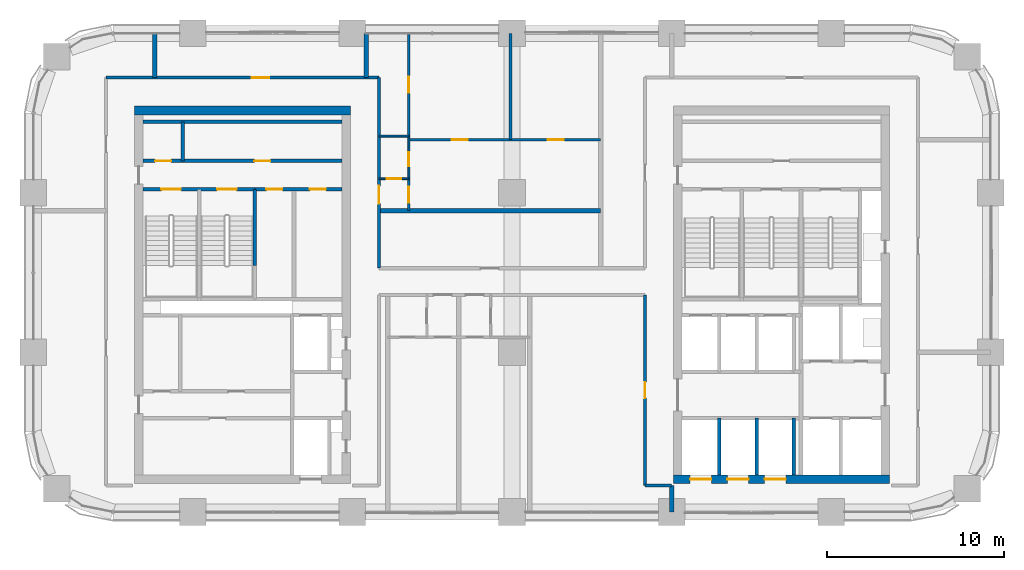
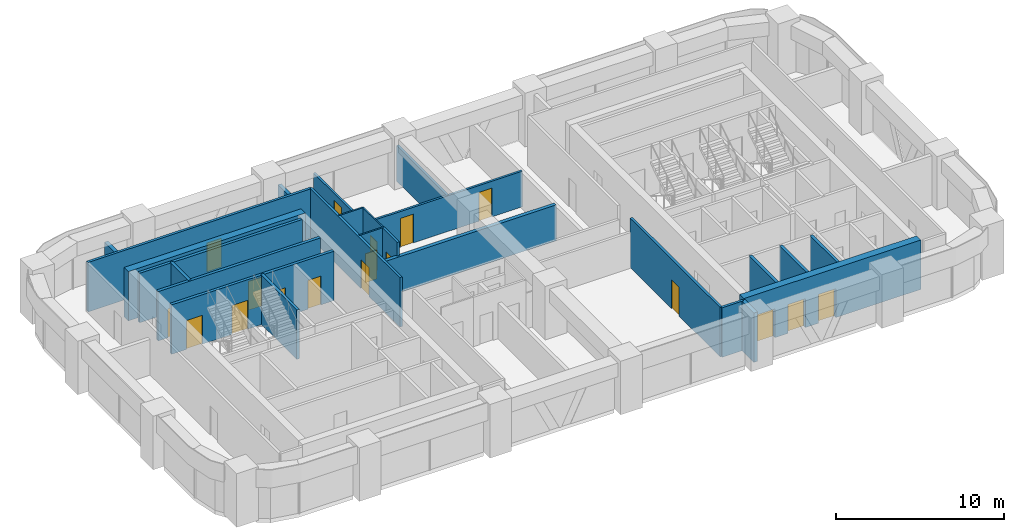
# One storey, part 10 of 14: 26 walls, 18 doors, 18 openings.
"""IFC4 building model written with IfcOpenShell, lengths in metres."""

from ifc_helpers import new_model, si_unit, direction, frame, frame_2d, origin, place, context, subcontext, project, spatial, rectangle, extrude, material, layer, layer_set, type_object, element, fill, save


model = new_model("IFC4")

# Units and contexts
model_context = context("Model", 3, precision=1e-05, world=origin(), true_north=direction((0.0, 1.0)))
body_context = subcontext(model_context, "Body", "Model", "MODEL_VIEW")
ifc_project = project(units=[si_unit("LENGTHUNIT", "METRE"), si_unit("AREAUNIT", "SQUARE_METRE"), si_unit("VOLUMEUNIT", "CUBIC_METRE"), si_unit("PLANEANGLEUNIT", "RADIAN"), si_unit("MASSUNIT", "GRAM", prefix="KILO")], contexts=[model_context])

# Site, building, storey
site_placement = place(None, origin())
site = spatial("IfcSite", under=ifc_project, at=site_placement, CompositionType="ELEMENT")
building_placement = place(site_placement, origin())
building = spatial("IfcBuilding", under=site, at=building_placement, Name="Tessera Arch", CompositionType="ELEMENT")
storey_placement = place(building_placement, frame((0.0, 0.0, 173.89990234375)))
storey = spatial("IfcBuildingStorey", under=building, at=storey_placement, Name="L41", CompositionType="ELEMENT", Elevation=173.89990234375)

# Wall
ifc_material_1 = material(Name="Gypsum board on steel stud", Category="steel")
ifc_layer_1 = layer(ifc_material_1, 0.125)
ifc_layer_set_1 = layer_set([ifc_layer_1], Name="Core partition 125 EI 60")
wall_type_1 = type_object("IfcWallType", Name="Core partition 125 EI 60", PredefinedType="PARTITIONING", material=ifc_layer_set_1)
wall_1_placement = place(storey_placement, frame((8.43994140625, 46.800048828125, 0.0), z_axis=(0.0, 0.0, 1.0), x_axis=(0.0, 1.0, 0.0)))
element("IfcWall", 1, at=wall_1_placement, inside=storey, type_object=wall_type_1, Name="L41 C2 partition wall 2", PredefinedType="PARTITIONING", context=body_context, shape_type="SweptSolid", body=[
    extrude(rectangle(XDim=2.199951171875, YDim=0.199951171875, at=frame_2d((1.10009765625, 0.0))), origin(), (0.0, 0.0, 1.0), 3.60009765625),
])

# Wall, openings, doors
wall_2_placement = place(storey_placement, frame((12.5, 45.199951171875, 0.0), z_axis=(0.0, 0.0, 1.0), x_axis=(1.0, 0.0, 0.0)))
wall_2 = element("IfcWall", 2, at=wall_2_placement, inside=storey, type_object=wall_type_1, Name="L41 C2 partition wall 22", PredefinedType="PARTITIONING", context=body_context, shape_type="SweptSolid", body=[
    extrude(rectangle(XDim=4.89990234375, YDim=0.199951171875, at=frame_2d((2.449951171875, 0.0))), origin(), (0.0, 0.0, 1.0), 3.60009765625),
])
opening_1_placement = place(wall_2_placement, frame((0.652587890625, 0.0, 0.0)))
opening_1 = element("IfcOpeningElement", 3, at=opening_1_placement, cuts=wall_2, Name="Opening L41-C30", PredefinedType="OPENING", context=body_context, shape_type="SweptSolid", body=[
    extrude(rectangle(XDim=0.89990234375, YDim=2.10009765625, at=frame_2d((0.449951171875, 1.050048828125))), frame((0.0, 0.10986328125, 0.0), z_axis=(0.0, -1.0, 0.0), x_axis=(1.0, 0.0, 0.0)), (0.0, 0.0, 1.0), 0.219970703125),
])
opening_2_placement = place(wall_2_placement, frame((3.1025390625, 0.0, 0.0)))
opening_2 = element("IfcOpeningElement", 4, at=opening_2_placement, cuts=wall_2, Name="Opening L41-C31", PredefinedType="OPENING", context=body_context, shape_type="SweptSolid", body=[
    extrude(rectangle(XDim=0.89990234375, YDim=2.10009765625, at=frame_2d((0.449951171875, 1.050048828125))), frame((0.0, 0.10986328125, 0.0), z_axis=(0.0, -1.0, 0.0), x_axis=(1.0, 0.0, 0.0)), (0.0, 0.0, 1.0), 0.219970703125),
])
ifc_material_2 = material(Name="Steel door leaf", Category="steel")
door_type_1 = type_object("IfcDoorType", Name="Store door FD30S 900 x 2100", OperationType="SINGLE_SWING_LEFT", PredefinedType="DOOR", material=ifc_material_2)
door_1_placement = place(opening_1_placement, origin())
door_1 = element("IfcDoor", 5, at=door_1_placement, inside=storey, type_object=door_type_1, Name="L41 C2 door 12 C30 type D09", OperationType="SINGLE_SWING_LEFT", OverallHeight=2.10009765625, OverallWidth=0.89990234375, PredefinedType="DOOR", context=body_context, shape_type="SweptSolid", body=[
    extrude(rectangle(XDim=0.89990234375, YDim=2.10009765625, at=frame_2d((0.449951171875, 1.050048828125))), frame((0.0, 0.02490234375, 0.0), z_axis=(0.0, -1.0, 0.0), x_axis=(1.0, 0.0, 0.0)), (0.0, 0.0, 1.0), 0.050048828125),
])
fill(opening_1, door_1)
door_2_placement = place(opening_2_placement, origin())
door_2 = element("IfcDoor", 6, at=door_2_placement, inside=storey, type_object=door_type_1, Name="L41 C2 door 13 C31 type D09", OperationType="SINGLE_SWING_RIGHT", OverallHeight=2.10009765625, OverallWidth=0.89990234375, PredefinedType="DOOR", context=body_context, shape_type="SweptSolid", body=[
    extrude(rectangle(XDim=0.89990234375, YDim=2.10009765625, at=frame_2d((0.449951171875, 1.050048828125))), frame((0.0, 0.02490234375, 0.0), z_axis=(0.0, -1.0, 0.0), x_axis=(1.0, 0.0, 0.0)), (0.0, 0.0, 1.0), 0.050048828125),
])
fill(opening_2, door_2)

wall_3_placement = place(storey_placement, frame((6.199951171875, 46.800048828125, 0.0), z_axis=(0.0, 0.0, 1.0), x_axis=(1.0, 0.0, 0.0)))
wall_3 = element("IfcWall", 7, at=wall_3_placement, inside=storey, type_object=wall_type_1, Name="L41 C2 partition wall 24", PredefinedType="PARTITIONING", context=body_context, shape_type="SweptSolid", body=[
    extrude(rectangle(XDim=11.199951171875, YDim=0.199951171875, at=frame_2d((5.60009765625, 0.0))), origin(), (0.0, 0.0, 1.0), 3.60009765625),
])
opening_3_placement = place(wall_3_placement, frame((0.669921875, 0.0, 0.0)))
opening_3 = element("IfcOpeningElement", 8, at=opening_3_placement, cuts=wall_3, Name="Opening L41-C28", PredefinedType="OPENING", context=body_context, shape_type="SweptSolid", body=[
    extrude(rectangle(XDim=0.89990234375, YDim=2.10009765625, at=frame_2d((0.449951171875, 1.050048828125))), frame((0.0, 0.10986328125, 0.0), z_axis=(0.0, -1.0, 0.0), x_axis=(1.0, 0.0, 0.0)), (0.0, 0.0, 1.0), 0.219970703125),
])
opening_4_placement = place(wall_3_placement, frame((6.27001953125, 0.0, 0.0)))
opening_4 = element("IfcOpeningElement", 9, at=opening_4_placement, cuts=wall_3, Name="Opening L41-C29", PredefinedType="OPENING", context=body_context, shape_type="SweptSolid", body=[
    extrude(rectangle(XDim=0.89990234375, YDim=2.10009765625, at=frame_2d((0.449951171875, 1.050048828125))), frame((0.0, 0.10986328125, 0.0), z_axis=(0.0, -1.0, 0.0), x_axis=(1.0, 0.0, 0.0)), (0.0, 0.0, 1.0), 0.219970703125),
])
door_3_placement = place(opening_3_placement, origin())
door_3 = element("IfcDoor", 10, at=door_3_placement, inside=storey, type_object=door_type_1, Name="L41 C2 door 10 C28 type D09", OperationType="SINGLE_SWING_LEFT", OverallHeight=2.10009765625, OverallWidth=0.89990234375, PredefinedType="DOOR", context=body_context, shape_type="SweptSolid", body=[
    extrude(rectangle(XDim=0.89990234375, YDim=2.10009765625, at=frame_2d((0.449951171875, 1.050048828125))), frame((0.0, 0.02490234375, 0.0), z_axis=(0.0, -1.0, 0.0), x_axis=(1.0, 0.0, 0.0)), (0.0, 0.0, 1.0), 0.050048828125),
])
fill(opening_3, door_3)
door_4_placement = place(opening_4_placement, origin())
door_4 = element("IfcDoor", 11, at=door_4_placement, inside=storey, type_object=door_type_1, Name="L41 C2 door 11 C29 type D09", OperationType="SINGLE_SWING_RIGHT", OverallHeight=2.10009765625, OverallWidth=0.89990234375, PredefinedType="DOOR", context=body_context, shape_type="SweptSolid", body=[
    extrude(rectangle(XDim=0.89990234375, YDim=2.10009765625, at=frame_2d((0.449951171875, 1.050048828125))), frame((0.0, 0.02490234375, 0.0), z_axis=(0.0, -1.0, 0.0), x_axis=(1.0, 0.0, 0.0)), (0.0, 0.0, 1.0), 0.050048828125),
])
fill(opening_4, door_4)

# Wall
wall_4_placement = place(storey_placement, frame((6.199951171875, 49.0, 0.0), z_axis=(0.0, 0.0, 1.0), x_axis=(1.0, 0.0, 0.0)))
element("IfcWall", 12, at=wall_4_placement, inside=storey, type_object=wall_type_1, Name="L41 C2 partition wall 25", PredefinedType="PARTITIONING", context=body_context, shape_type="SweptSolid", body=[
    extrude(rectangle(XDim=11.199951171875, YDim=0.199951171875, at=frame_2d((5.60009765625, 0.0))), origin(), (0.0, 0.0, 1.0), 3.60009765625),
])

# Wall, openings, doors
ifc_material_3 = material(Name="Concrete C60/75", Category="concrete")
ifc_layer_2 = layer(ifc_material_3, 0.5)
ifc_layer_set_2 = layer_set([ifc_layer_2], Name="Core shell wall 500 C60-75")
wall_type_2 = type_object("IfcWallType", Name="Core shell wall 500 C60-75", PredefinedType="SHEAR", material=ifc_layer_set_2)
wall_5_placement = place(storey_placement, frame((36.10009765625, 28.85009765625, 0.0), z_axis=(0.0, 0.0, 1.0), x_axis=(1.0, 0.0, 0.0)))
wall_5 = element("IfcWall", 13, at=wall_5_placement, inside=storey, type_object=wall_type_2, Name="L41 C1 core wall S", PredefinedType="SHEAR", context=body_context, shape_type="SweptSolid", body=[
    extrude(rectangle(XDim=12.199951171875, YDim=0.5, at=frame_2d((6.10009765625, 0.0))), origin(), (0.0, 0.0, 1.0), 3.60009765625),
])
opening_5_placement = place(wall_5_placement, frame((0.949951171875, 0.0, 0.0)))
opening_5 = element("IfcOpeningElement", 14, at=opening_5_placement, cuts=wall_5, Name="Opening L41-C01", PredefinedType="OPENING", context=body_context, shape_type="SweptSolid", body=[
    extrude(rectangle(XDim=1.199951171875, YDim=2.10009765625, at=frame_2d((0.60009765625, 1.050048828125))), frame((0.0, 0.260009765625, 0.0), z_axis=(0.0, -1.0, 0.0), x_axis=(1.0, 0.0, 0.0)), (0.0, 0.0, 1.0), 0.52001953125),
])
opening_6_placement = place(wall_5_placement, frame((3.050048828125, 0.0, 0.0)))
opening_6 = element("IfcOpeningElement", 15, at=opening_6_placement, cuts=wall_5, Name="Opening L41-C03", PredefinedType="OPENING", context=body_context, shape_type="SweptSolid", body=[
    extrude(rectangle(XDim=1.199951171875, YDim=2.10009765625, at=frame_2d((0.60009765625, 1.050048828125))), frame((0.0, 0.260009765625, 0.0), z_axis=(0.0, -1.0, 0.0), x_axis=(1.0, 0.0, 0.0)), (0.0, 0.0, 1.0), 0.52001953125),
])
opening_7_placement = place(wall_5_placement, frame((5.14990234375, 0.0, 0.0)))
opening_7 = element("IfcOpeningElement", 16, at=opening_7_placement, cuts=wall_5, Name="Opening L41-C05", PredefinedType="OPENING", context=body_context, shape_type="SweptSolid", body=[
    extrude(rectangle(XDim=1.199951171875, YDim=2.10009765625, at=frame_2d((0.60009765625, 1.050048828125))), frame((0.0, 0.260009765625, 0.0), z_axis=(0.0, -1.0, 0.0), x_axis=(1.0, 0.0, 0.0)), (0.0, 0.0, 1.0), 0.52001953125),
])
ifc_material_4 = material(Name="Stainless steel AISI 304", Category="steel")
door_type_2 = type_object("IfcDoorType", Name="Sliding landing door 1200 x 2100", OperationType="SLIDING_TO_LEFT", PredefinedType="DOOR", material=ifc_material_4)
door_5_placement = place(opening_5_placement, origin())
door_5 = element("IfcDoor", 17, at=door_5_placement, inside=storey, type_object=door_type_2, Name="L41 HR1 lift landing door C01 type LD", OperationType="SLIDING_TO_LEFT", OverallHeight=2.10009765625, OverallWidth=1.199951171875, PredefinedType="DOOR", context=body_context, shape_type="SweptSolid", body=[
    extrude(rectangle(XDim=1.199951171875, YDim=2.10009765625, at=frame_2d((0.60009765625, 1.050048828125))), frame((0.0, 0.02490234375, 0.0), z_axis=(0.0, -1.0, 0.0), x_axis=(1.0, 0.0, 0.0)), (0.0, 0.0, 1.0), 0.050048828125),
])
fill(opening_5, door_5)
door_6_placement = place(opening_6_placement, origin())
door_6 = element("IfcDoor", 18, at=door_6_placement, inside=storey, type_object=door_type_2, Name="L41 HR2 lift landing door C03 type LD", OperationType="SLIDING_TO_LEFT", OverallHeight=2.10009765625, OverallWidth=1.199951171875, PredefinedType="DOOR", context=body_context, shape_type="SweptSolid", body=[
    extrude(rectangle(XDim=1.199951171875, YDim=2.10009765625, at=frame_2d((0.60009765625, 1.050048828125))), frame((0.0, 0.02490234375, 0.0), z_axis=(0.0, -1.0, 0.0), x_axis=(1.0, 0.0, 0.0)), (0.0, 0.0, 1.0), 0.050048828125),
])
fill(opening_6, door_6)
door_7_placement = place(opening_7_placement, origin())
door_7 = element("IfcDoor", 19, at=door_7_placement, inside=storey, type_object=door_type_2, Name="L41 HR3 lift landing door C05 type LD", OperationType="SLIDING_TO_LEFT", OverallHeight=2.10009765625, OverallWidth=1.199951171875, PredefinedType="DOOR", context=body_context, shape_type="SweptSolid", body=[
    extrude(rectangle(XDim=1.199951171875, YDim=2.10009765625, at=frame_2d((0.60009765625, 1.050048828125))), frame((0.0, 0.02490234375, 0.0), z_axis=(0.0, -1.0, 0.0), x_axis=(1.0, 0.0, 0.0)), (0.0, 0.0, 1.0), 0.050048828125),
])
fill(opening_7, door_7)

# Walls
wall_6_placement = place(storey_placement, frame((5.699951171875, 49.64990234375, 0.0), z_axis=(0.0, 0.0, 1.0), x_axis=(1.0, 0.0, 0.0)))
element("IfcWall", 20, at=wall_6_placement, inside=storey, type_object=wall_type_2, Name="L41 C2 core wall N", PredefinedType="SHEAR", context=body_context, shape_type="SweptSolid", body=[
    extrude(rectangle(XDim=12.199951171875, YDim=0.5, at=frame_2d((6.10009765625, 0.0))), origin(), (0.0, 0.0, 1.0), 3.60009765625),
])
ifc_material_5 = material(Name="Gypsum board on deep steel stud with mineral wool", Category="steel")
ifc_layer_3 = layer(ifc_material_5, 0.175048828125)
ifc_layer_set_3 = layer_set([ifc_layer_3], Name="Corridor wall 175 EI 60")
wall_type_3 = type_object("IfcWallType", Name="Corridor wall 175 EI 60", PredefinedType="PARTITIONING", material=ifc_layer_set_3)
wall_7_placement = place(storey_placement, frame((34.5, 28.5, 0.0), z_axis=(0.0, 0.0, 1.0), x_axis=(1.0, 0.0, 0.0)))
element("IfcWall", 21, at=wall_7_placement, inside=storey, type_object=wall_type_3, Name="L41 partition 3", PredefinedType="PARTITIONING", context=body_context, shape_type="SweptSolid", body=[
    extrude(rectangle(XDim=1.5, YDim=0.175048828125, at=frame_2d((0.75, 0.0))), origin(), (0.0, 0.0, 1.0), 3.60009765625),
])

# Wall, opening, door
wall_8_placement = place(storey_placement, frame((4.10009765625, 51.5, 0.0), z_axis=(0.0, 0.0, 1.0), x_axis=(1.0, 0.0, 0.0)))
wall_8 = element("IfcWall", 22, at=wall_8_placement, inside=storey, type_object=wall_type_3, Name="L41 partition 7", PredefinedType="PARTITIONING", context=body_context, shape_type="SweptSolid", body=[
    extrude(rectangle(XDim=15.39990234375, YDim=0.175048828125, at=frame_2d((7.699951171875, 0.0))), origin(), (0.0, 0.0, 1.0), 3.60009765625),
])
opening_8_placement = place(wall_8_placement, frame((8.2119140625, 0.0, 0.0)))
opening_8 = element("IfcOpeningElement", 23, at=opening_8_placement, cuts=wall_8, Name="Opening L41-D023", PredefinedType="OPENING", context=body_context, shape_type="SweptSolid", body=[
    extrude(rectangle(XDim=1.0, YDim=2.10009765625, at=frame_2d((0.5, 1.050048828125))), frame((0.0, 0.097412109375, 0.0), z_axis=(0.0, -1.0, 0.0), x_axis=(1.0, 0.0, 0.0)), (0.0, 0.0, 1.0), 0.195068359375),
])
ifc_material_6 = material(Name="Fire-rated door leaf")
door_type_3 = type_object("IfcDoorType", Name="Entrance door FD30S 1000 x 2100", OperationType="SINGLE_SWING_LEFT", PredefinedType="DOOR", material=ifc_material_6)
door_8_placement = place(opening_8_placement, origin())
door_8 = element("IfcDoor", 24, at=door_8_placement, inside=storey, type_object=door_type_3, Name="L41 door D023 type D03", OperationType="SINGLE_SWING_RIGHT", OverallHeight=2.10009765625, OverallWidth=1.0, PredefinedType="DOOR", context=body_context, shape_type="SweptSolid", body=[
    extrude(rectangle(XDim=1.0, YDim=2.10009765625, at=frame_2d((0.5, 1.050048828125))), frame((0.0, 0.02490234375, 0.0), z_axis=(0.0, -1.0, 0.0), x_axis=(1.0, 0.0, 0.0)), (0.0, 0.0, 1.0), 0.050048828125),
])
fill(opening_8, door_8)

wall_9_placement = place(storey_placement, frame((19.5, 40.75, 0.0), z_axis=(0.0, 0.0, 1.0), x_axis=(0.0, 1.0, 0.0)))
wall_9 = element("IfcWall", 25, at=wall_9_placement, inside=storey, type_object=wall_type_3, Name="L41 partition 11", PredefinedType="PARTITIONING", context=body_context, shape_type="SweptSolid", body=[
    extrude(rectangle(XDim=10.75, YDim=0.175048828125, at=frame_2d((5.375, 0.0))), origin(), (0.0, 0.0, 1.0), 3.60009765625),
])
opening_9_placement = place(wall_9_placement, frame((3.64990234375, 0.0, 0.0)))
opening_9 = element("IfcOpeningElement", 26, at=opening_9_placement, cuts=wall_9, Name="Opening L41-D014", PredefinedType="OPENING", context=body_context, shape_type="SweptSolid", body=[
    extrude(rectangle(XDim=1.0, YDim=2.10009765625, at=frame_2d((0.5, 1.050048828125))), frame((0.0, 0.097412109375, 0.0), z_axis=(0.0, -1.0, 0.0), x_axis=(1.0, 0.0, 0.0)), (0.0, 0.0, 1.0), 0.195068359375),
])
door_9_placement = place(opening_9_placement, origin())
door_9 = element("IfcDoor", 27, at=door_9_placement, inside=storey, type_object=door_type_3, Name="L41 door D014 type D03", OperationType="SINGLE_SWING_RIGHT", OverallHeight=2.10009765625, OverallWidth=1.0, PredefinedType="DOOR", context=body_context, shape_type="SweptSolid", body=[
    extrude(rectangle(XDim=1.0, YDim=2.10009765625, at=frame_2d((0.5, 1.050048828125))), frame((0.0, 0.02490234375, 0.0), z_axis=(0.0, -1.0, 0.0), x_axis=(1.0, 0.0, 0.0)), (0.0, 0.0, 1.0), 0.050048828125),
])
fill(opening_9, door_9)

wall_10_placement = place(storey_placement, frame((34.5, 28.5, 0.0), z_axis=(0.0, 0.0, 1.0), x_axis=(0.0, 1.0, 0.0)))
wall_10 = element("IfcWall", 28, at=wall_10_placement, inside=storey, type_object=wall_type_3, Name="L41 partition 12", PredefinedType="PARTITIONING", context=body_context, shape_type="SweptSolid", body=[
    extrude(rectangle(XDim=10.75, YDim=0.175048828125, at=frame_2d((5.375, 0.0))), origin(), (0.0, 0.0, 1.0), 3.60009765625),
])
opening_10_placement = place(wall_10_placement, frame((4.925048828125, 0.0, 0.0)))
opening_10 = element("IfcOpeningElement", 29, at=opening_10_placement, cuts=wall_10, Name="Opening L41-D002", PredefinedType="OPENING", context=body_context, shape_type="SweptSolid", body=[
    extrude(rectangle(XDim=0.89990234375, YDim=2.10009765625, at=frame_2d((0.449951171875, 1.050048828125))), frame((0.0, 0.097412109375, 0.0), z_axis=(0.0, -1.0, 0.0), x_axis=(1.0, 0.0, 0.0)), (0.0, 0.0, 1.0), 0.195068359375),
])
ifc_material_7 = material(Name="Timber door leaf", Category="wood")
door_type_4 = type_object("IfcDoorType", Name="Room door 900 x 2100", OperationType="SINGLE_SWING_LEFT", PredefinedType="DOOR", material=ifc_material_7)
door_10_placement = place(opening_10_placement, origin())
door_10 = element("IfcDoor", 30, at=door_10_placement, inside=storey, type_object=door_type_4, Name="L41 door D002 type D01", OperationType="SINGLE_SWING_RIGHT", OverallHeight=2.10009765625, OverallWidth=0.89990234375, PredefinedType="DOOR", context=body_context, shape_type="SweptSolid", body=[
    extrude(rectangle(XDim=0.89990234375, YDim=2.10009765625, at=frame_2d((0.449951171875, 1.050048828125))), frame((0.0, 0.02490234375, 0.0), z_axis=(0.0, -1.0, 0.0), x_axis=(1.0, 0.0, 0.0)), (0.0, 0.0, 1.0), 0.050048828125),
])
fill(opening_10, door_10)

# Wall, openings, doors
ifc_material_8 = material(Name="Gypsum board on steel stud", Category="steel")
ifc_layer_4 = layer(ifc_material_8, 0.14990234375)
ifc_layer_set_4 = layer_set([ifc_layer_4], Name="Partition 150")
wall_type_4 = type_object("IfcWallType", Name="Partition 150", PredefinedType="PARTITIONING", material=ifc_layer_set_4)
wall_11_placement = place(storey_placement, frame((21.183837890625, 48.0, 0.0), z_axis=(0.0, 0.0, 1.0), x_axis=(1.0, 0.0, 0.0)))
wall_11 = element("IfcWall", 31, at=wall_11_placement, inside=storey, type_object=wall_type_4, Name="L41 partition 16", PredefinedType="PARTITIONING", context=body_context, shape_type="SweptSolid", body=[
    extrude(rectangle(XDim=10.816162109375, YDim=0.14990234375, at=frame_2d((5.408203125, 0.0))), origin(), (0.0, 0.0, 1.0), 2.60009765625),
])
opening_11_placement = place(wall_11_placement, frame((2.416259765625, 0.0, 0.0)))
opening_11 = element("IfcOpeningElement", 32, at=opening_11_placement, cuts=wall_11, Name="Opening L41-D019", PredefinedType="OPENING", context=body_context, shape_type="SweptSolid", body=[
    extrude(rectangle(XDim=0.89990234375, YDim=2.10009765625, at=frame_2d((0.449951171875, 1.050048828125))), frame((0.0, 0.0849609375, 0.0), z_axis=(0.0, -1.0, 0.0), x_axis=(1.0, 0.0, 0.0)), (0.0, 0.0, 1.0), 0.169921875),
])
opening_12_placement = place(wall_11_placement, frame((7.82421875, 0.0, 0.0)))
opening_12 = element("IfcOpeningElement", 33, at=opening_12_placement, cuts=wall_11, Name="Opening L41-D020", PredefinedType="OPENING", context=body_context, shape_type="SweptSolid", body=[
    extrude(rectangle(XDim=0.89990234375, YDim=2.10009765625, at=frame_2d((0.449951171875, 1.050048828125))), frame((0.0, 0.0849609375, 0.0), z_axis=(0.0, -1.0, 0.0), x_axis=(1.0, 0.0, 0.0)), (0.0, 0.0, 1.0), 0.169921875),
])
door_11_placement = place(opening_11_placement, origin())
door_11 = element("IfcDoor", 34, at=door_11_placement, inside=storey, type_object=door_type_4, Name="L41 door D019 type D01", OperationType="SINGLE_SWING_LEFT", OverallHeight=2.10009765625, OverallWidth=0.89990234375, PredefinedType="DOOR", context=body_context, shape_type="SweptSolid", body=[
    extrude(rectangle(XDim=0.89990234375, YDim=2.10009765625, at=frame_2d((0.449951171875, 1.050048828125))), frame((0.0, 0.02490234375, 0.0), z_axis=(0.0, -1.0, 0.0), x_axis=(1.0, 0.0, 0.0)), (0.0, 0.0, 1.0), 0.050048828125),
])
fill(opening_11, door_11)
door_12_placement = place(opening_12_placement, origin())
door_12 = element("IfcDoor", 35, at=door_12_placement, inside=storey, type_object=door_type_4, Name="L41 door D020 type D01", OperationType="SINGLE_SWING_LEFT", OverallHeight=2.10009765625, OverallWidth=0.89990234375, PredefinedType="DOOR", context=body_context, shape_type="SweptSolid", body=[
    extrude(rectangle(XDim=0.89990234375, YDim=2.10009765625, at=frame_2d((0.449951171875, 1.050048828125))), frame((0.0, 0.02490234375, 0.0), z_axis=(0.0, -1.0, 0.0), x_axis=(1.0, 0.0, 0.0)), (0.0, 0.0, 1.0), 0.050048828125),
])
fill(opening_12, door_12)

# Wall, opening, door
wall_12_placement = place(storey_placement, frame((21.18408203125, 44.0, 0.0), z_axis=(0.0, 0.0, 1.0), x_axis=(0.0, 1.0, 0.0)))
wall_12 = element("IfcWall", 36, at=wall_12_placement, inside=storey, type_object=wall_type_4, Name="L41 partition 17", PredefinedType="PARTITIONING", context=body_context, shape_type="SweptSolid", body=[
    extrude(rectangle(XDim=1.800048828125, YDim=0.14990234375, at=frame_2d((0.89990234375, 0.0))), origin(), (0.0, 0.0, 1.0), 3.60009765625),
])
opening_13_placement = place(wall_12_placement, frame((0.449951171875, 0.0, 0.0)))
opening_13 = element("IfcOpeningElement", 37, at=opening_13_placement, cuts=wall_12, Name="Opening L41-D015", PredefinedType="OPENING", context=body_context, shape_type="SweptSolid", body=[
    extrude(rectangle(XDim=0.89990234375, YDim=2.10009765625, at=frame_2d((0.449951171875, 1.050048828125))), frame((0.0, 0.0849609375, 0.0), z_axis=(0.0, -1.0, 0.0), x_axis=(1.0, 0.0, 0.0)), (0.0, 0.0, 1.0), 0.169921875),
])
door_13_placement = place(opening_13_placement, origin())
door_13 = element("IfcDoor", 38, at=door_13_placement, inside=storey, type_object=door_type_4, Name="L41 door D015 type D01", OperationType="SINGLE_SWING_LEFT", OverallHeight=2.10009765625, OverallWidth=0.89990234375, PredefinedType="DOOR", context=body_context, shape_type="SweptSolid", body=[
    extrude(rectangle(XDim=0.89990234375, YDim=2.10009765625, at=frame_2d((0.449951171875, 1.050048828125))), frame((0.0, 0.02490234375, 0.0), z_axis=(0.0, -1.0, 0.0), x_axis=(1.0, 0.0, 0.0)), (0.0, 0.0, 1.0), 0.050048828125),
])
fill(opening_13, door_13)

wall_13_placement = place(storey_placement, frame((21.18408203125, 48.199951171875, 0.0), z_axis=(0.0, 0.0, 1.0), x_axis=(0.0, 1.0, 0.0)))
wall_13 = element("IfcWall", 39, at=wall_13_placement, inside=storey, type_object=wall_type_4, Name="L41 partition 18", PredefinedType="PARTITIONING", context=body_context, shape_type="SweptSolid", body=[
    extrude(rectangle(XDim=5.800048828125, YDim=0.14990234375, at=frame_2d((2.89990234375, 0.0))), origin(), (0.0, 0.0, 1.0), 2.60009765625),
])
opening_14_placement = place(wall_13_placement, frame((2.449951171875, 0.0, 0.0)))
opening_14 = element("IfcOpeningElement", 40, at=opening_14_placement, cuts=wall_13, Name="Opening L41-D018", PredefinedType="OPENING", context=body_context, shape_type="SweptSolid", body=[
    extrude(rectangle(XDim=0.89990234375, YDim=2.10009765625, at=frame_2d((0.449951171875, 1.050048828125))), frame((0.0, 0.0849609375, 0.0), z_axis=(0.0, -1.0, 0.0), x_axis=(1.0, 0.0, 0.0)), (0.0, 0.0, 1.0), 0.169921875),
])
door_14_placement = place(opening_14_placement, origin())
door_14 = element("IfcDoor", 41, at=door_14_placement, inside=storey, type_object=door_type_4, Name="L41 door D018 type D01", OperationType="SINGLE_SWING_LEFT", OverallHeight=2.10009765625, OverallWidth=0.89990234375, PredefinedType="DOOR", context=body_context, shape_type="SweptSolid", body=[
    extrude(rectangle(XDim=0.89990234375, YDim=2.10009765625, at=frame_2d((0.449951171875, 1.050048828125))), frame((0.0, 0.02490234375, 0.0), z_axis=(0.0, -1.0, 0.0), x_axis=(1.0, 0.0, 0.0)), (0.0, 0.0, 1.0), 0.050048828125),
])
fill(opening_14, door_14)

# Walls
wall_14_placement = place(storey_placement, frame((26.916015625, 48.0, 0.0), z_axis=(0.0, 0.0, 1.0), x_axis=(0.0, 1.0, 0.0)))
element("IfcWall", 42, at=wall_14_placement, inside=storey, type_object=wall_type_4, Name="L41 partition 19", PredefinedType="PARTITIONING", context=body_context, shape_type="SweptSolid", body=[
    extrude(rectangle(XDim=6.0, YDim=0.14990234375, at=frame_2d((3.0, 0.0))), origin(), (0.0, 0.0, 1.0), 2.60009765625),
])
ifc_material_9 = material(Name="Double gypsum board on twin steel stud with acoustic mineral wool", Category="steel")
ifc_layer_5 = layer(ifc_material_9, 0.25)
ifc_layer_set_5 = layer_set([ifc_layer_5], Name="Party wall 250 EI 60")
wall_type_5 = type_object("IfcWallType", Name="Party wall 250 EI 60", PredefinedType="PARTITIONING", material=ifc_layer_set_5)
wall_15_placement = place(storey_placement, frame((19.5, 44.0, 0.0), z_axis=(0.0, 0.0, 1.0), x_axis=(1.0, 0.0, 0.0)))
element("IfcWall", 43, at=wall_15_placement, inside=storey, type_object=wall_type_5, Name="L41 partition 22", PredefinedType="PARTITIONING", context=body_context, shape_type="SweptSolid", body=[
    extrude(rectangle(XDim=12.5, YDim=0.25, at=frame_2d((6.25, 0.0))), origin(), (0.0, 0.0, 1.0), 2.60009765625),
])
for number, where, z_axis, x_axis, name in (
    (44, (6.840087890625, 51.5, 0.0), (0.0, 0.0, 1.0), (0.0, 1.0, 0.0), "L41 partition 24"),
    (45, (18.783935546875, 51.5, 0.0), (0.0, 0.0, 1.0), (0.0, 1.0, 0.0), "L41 partition 25"),
):
    element("IfcWall", number, at=place(storey_placement, frame(where, z_axis=z_axis, x_axis=x_axis)), inside=storey, type_object=wall_type_5, Name=name, PredefinedType="PARTITIONING", context=body_context, shape_type="SweptSolid", body=[
        extrude(rectangle(XDim=2.5, YDim=0.25, at=frame_2d((1.25, 0.0))), origin(), (0.0, 0.0, 1.0), 2.60009765625),
    ])
wall_16_placement = place(storey_placement, frame((36.0, 27.0, 0.0), z_axis=(0.0, 0.0, 1.0), x_axis=(0.0, 1.0, 0.0)))
element("IfcWall", 46, at=wall_16_placement, inside=storey, type_object=wall_type_5, Name="L41 partition 30", PredefinedType="PARTITIONING", context=body_context, shape_type="SweptSolid", body=[
    extrude(rectangle(XDim=1.5, YDim=0.25, at=frame_2d((0.75, 0.0))), origin(), (0.0, 0.0, 1.0), 3.60009765625),
])
ifc_material_10 = material(Name="Concrete C40/50", Category="concrete")
ifc_layer_6 = layer(ifc_material_10, 0.199951171875)
ifc_layer_set_6 = layer_set([ifc_layer_6], Name="Shaft wall 200 EI 120")
wall_type_6 = type_object("IfcWallType", Name="Shaft wall 200 EI 120", PredefinedType="SOLIDWALL", material=ifc_layer_set_6)
for number, where, z_axis, x_axis, name in (
    (47, (38.699951171875, 29.10009765625, 0.0), (0.0, 0.0, 1.0), (0.0, 1.0, 0.0), "L41 C1 shaft wall 1"),
    (48, (40.800048828125, 29.10009765625, 0.0), (0.0, 0.0, 1.0), (0.0, 1.0, 0.0), "L41 C1 shaft wall 5"),
    (49, (42.89990234375, 29.10009765625, 0.0), (0.0, 0.0, 1.0), (0.0, 1.0, 0.0), "L41 C1 shaft wall 7"),
):
    element("IfcWall", number, at=place(storey_placement, frame(where, z_axis=z_axis, x_axis=x_axis)), inside=storey, type_object=wall_type_6, Name=name, PredefinedType="SOLIDWALL", context=body_context, shape_type="SweptSolid", body=[
        extrude(rectangle(XDim=3.199951171875, YDim=0.199951171875, at=frame_2d((1.60009765625, 0.0))), origin(), (0.0, 0.0, 1.0), 3.60009765625),
    ])
ifc_material_11 = material(Name="Concrete C40/50", Category="concrete")
ifc_layer_7 = layer(ifc_material_11, 0.199951171875)
ifc_layer_set_7 = layer_set([ifc_layer_7], Name="Stair well wall 200 REI 180")
wall_type_7 = type_object("IfcWallType", Name="Stair well wall 200 REI 180", PredefinedType="SOLIDWALL", material=ifc_layer_set_7)
wall_17_placement = place(storey_placement, frame((12.5, 40.89990234375, 0.0), z_axis=(0.0, 0.0, 1.0), x_axis=(0.0, 1.0, 0.0)))
element("IfcWall", 50, at=wall_17_placement, inside=storey, type_object=wall_type_7, Name="L41 C2 shaft wall 6", PredefinedType="SOLIDWALL", context=body_context, shape_type="SweptSolid", body=[
    extrude(rectangle(XDim=4.300048828125, YDim=0.199951171875, at=frame_2d((2.14990234375, 0.0))), origin(), (0.0, 0.0, 1.0), 3.60009765625),
])

# Wall, openings, doors
wall_18_placement = place(storey_placement, frame((6.199951171875, 45.199951171875, 0.0), z_axis=(0.0, 0.0, 1.0), x_axis=(1.0, 0.0, 0.0)))
wall_18 = element("IfcWall", 51, at=wall_18_placement, inside=storey, type_object=wall_type_7, Name="L41 C2 shaft wall 23", PredefinedType="SOLIDWALL", context=body_context, shape_type="SweptSolid", body=[
    extrude(rectangle(XDim=6.300048828125, YDim=0.199951171875, at=frame_2d((3.14990234375, 0.0))), origin(), (0.0, 0.0, 1.0), 3.60009765625),
])
opening_15_placement = place(wall_18_placement, frame((1.02490234375, 0.0, 0.0)))
opening_15 = element("IfcOpeningElement", 52, at=opening_15_placement, cuts=wall_18, Name="Opening L41-C23", PredefinedType="OPENING", context=body_context, shape_type="SweptSolid", body=[
    extrude(rectangle(XDim=1.10009765625, YDim=2.10009765625, at=frame_2d((0.550048828125, 1.050048828125))), frame((0.0, 0.10986328125, 0.0), z_axis=(0.0, -1.0, 0.0), x_axis=(1.0, 0.0, 0.0)), (0.0, 0.0, 1.0), 0.219970703125),
])
opening_16_placement = place(wall_18_placement, frame((4.175048828125, 0.0, 0.0)))
opening_16 = element("IfcOpeningElement", 53, at=opening_16_placement, cuts=wall_18, Name="Opening L41-C24", PredefinedType="OPENING", context=body_context, shape_type="SweptSolid", body=[
    extrude(rectangle(XDim=1.10009765625, YDim=2.10009765625, at=frame_2d((0.550048828125, 1.050048828125))), frame((0.0, 0.10986328125, 0.0), z_axis=(0.0, -1.0, 0.0), x_axis=(1.0, 0.0, 0.0)), (0.0, 0.0, 1.0), 0.219970703125),
])
ifc_material_12 = material(Name="Steel door leaf", Category="steel")
door_type_5 = type_object("IfcDoorType", Name="Stair door FD60 1100 x 2100", OperationType="SINGLE_SWING_LEFT", PredefinedType="DOOR", material=ifc_material_12)
door_15_placement = place(opening_15_placement, origin())
door_15 = element("IfcDoor", 54, at=door_15_placement, inside=storey, type_object=door_type_5, Name="L41 C2 door 5 C23 type D05", OperationType="SINGLE_SWING_LEFT", OverallHeight=2.10009765625, OverallWidth=1.10009765625, PredefinedType="DOOR", context=body_context, shape_type="SweptSolid", body=[
    extrude(rectangle(XDim=1.10009765625, YDim=2.10009765625, at=frame_2d((0.550048828125, 1.050048828125))), frame((0.0, 0.02490234375, 0.0), z_axis=(0.0, -1.0, 0.0), x_axis=(1.0, 0.0, 0.0)), (0.0, 0.0, 1.0), 0.050048828125),
])
fill(opening_15, door_15)
door_16_placement = place(opening_16_placement, origin())
door_16 = element("IfcDoor", 55, at=door_16_placement, inside=storey, type_object=door_type_5, Name="L41 C2 door 6 C24 type D05", OperationType="SINGLE_SWING_RIGHT", OverallHeight=2.10009765625, OverallWidth=1.10009765625, PredefinedType="DOOR", context=body_context, shape_type="SweptSolid", body=[
    extrude(rectangle(XDim=1.10009765625, YDim=2.10009765625, at=frame_2d((0.550048828125, 1.050048828125))), frame((0.0, 0.02490234375, 0.0), z_axis=(0.0, -1.0, 0.0), x_axis=(1.0, 0.0, 0.0)), (0.0, 0.0, 1.0), 0.050048828125),
])
fill(opening_16, door_16)

# Wall, opening, door
ifc_material_13 = material(Name="Moisture-resistant board on pre-plumbed steel stud", Category="steel")
ifc_layer_8 = layer(ifc_material_13, 0.10009765625)
ifc_layer_set_8 = layer_set([ifc_layer_8], Name="Wet wall 100")
wall_type_8 = type_object("IfcWallType", Name="Wet wall 100", PredefinedType="PARTITIONING", material=ifc_layer_set_8)
wall_19_placement = place(storey_placement, frame((19.5, 45.800048828125, 0.0), z_axis=(0.0, 0.0, 1.0), x_axis=(1.0, 0.0, 0.0)))
wall_19 = element("IfcWall", 56, at=wall_19_placement, inside=storey, type_object=wall_type_8, Name="L41 partition 34", PredefinedType="PARTITIONING", context=body_context, shape_type="SweptSolid", body=[
    extrude(rectangle(XDim=1.683837890625, YDim=0.10009765625, at=frame_2d((0.841796875, 0.0))), origin(), (0.0, 0.0, 1.0), 3.60009765625),
])
opening_17_placement = place(wall_19_placement, frame((0.44189453125, 0.0, 0.0)))
opening_17 = element("IfcOpeningElement", 57, at=opening_17_placement, cuts=wall_19, Name="Opening L41-D016", PredefinedType="OPENING", context=body_context, shape_type="SweptSolid", body=[
    extrude(rectangle(XDim=0.800048828125, YDim=2.10009765625, at=frame_2d((0.39990234375, 1.050048828125))), frame((0.0, 0.06005859375, 0.0), z_axis=(0.0, -1.0, 0.0), x_axis=(1.0, 0.0, 0.0)), (0.0, 0.0, 1.0), 0.1201171875),
])
ifc_material_14 = material(Name="Timber door leaf", Category="wood")
door_type_6 = type_object("IfcDoorType", Name="En-suite door 800 x 2100", OperationType="SINGLE_SWING_LEFT", PredefinedType="DOOR", material=ifc_material_14)
door_17_placement = place(opening_17_placement, origin())
door_17 = element("IfcDoor", 58, at=door_17_placement, inside=storey, type_object=door_type_6, Name="L41 door D016 type D02", OperationType="SINGLE_SWING_LEFT", OverallHeight=2.10009765625, OverallWidth=0.800048828125, PredefinedType="DOOR", context=body_context, shape_type="SweptSolid", body=[
    extrude(rectangle(XDim=0.800048828125, YDim=2.10009765625, at=frame_2d((0.39990234375, 1.050048828125))), frame((0.0, 0.02490234375, 0.0), z_axis=(0.0, -1.0, 0.0), x_axis=(1.0, 0.0, 0.0)), (0.0, 0.0, 1.0), 0.050048828125),
])
fill(opening_17, door_17)

# Wall
wall_20_placement = place(storey_placement, frame((19.5, 48.199951171875, 0.0), z_axis=(0.0, 0.0, 1.0), x_axis=(1.0, 0.0, 0.0)))
element("IfcWall", 59, at=wall_20_placement, inside=storey, type_object=wall_type_8, Name="L41 partition 35", PredefinedType="PARTITIONING", context=body_context, shape_type="SweptSolid", body=[
    extrude(rectangle(XDim=1.683837890625, YDim=0.10009765625, at=frame_2d((0.841796875, 0.0))), origin(), (0.0, 0.0, 1.0), 3.60009765625),
])

# Wall, opening, door
wall_21_placement = place(storey_placement, frame((21.18408203125, 45.800048828125, 0.0), z_axis=(0.0, 0.0, 1.0), x_axis=(0.0, 1.0, 0.0)))
wall_21 = element("IfcWall", 60, at=wall_21_placement, inside=storey, type_object=wall_type_8, Name="L41 partition 36", PredefinedType="PARTITIONING", context=body_context, shape_type="SweptSolid", body=[
    extrude(rectangle(XDim=2.39990234375, YDim=0.10009765625, at=frame_2d((1.199951171875, 0.0))), origin(), (0.0, 0.0, 1.0), 3.60009765625),
])
opening_18_placement = place(wall_21_placement, frame((0.699951171875, 0.0, 0.0)))
opening_18 = element("IfcOpeningElement", 61, at=opening_18_placement, cuts=wall_21, Name="Opening L41-D017", PredefinedType="OPENING", context=body_context, shape_type="SweptSolid", body=[
    extrude(rectangle(XDim=0.800048828125, YDim=2.10009765625, at=frame_2d((0.39990234375, 1.050048828125))), frame((0.0, 0.06005859375, 0.0), z_axis=(0.0, -1.0, 0.0), x_axis=(1.0, 0.0, 0.0)), (0.0, 0.0, 1.0), 0.1201171875),
])
door_18_placement = place(opening_18_placement, origin())
door_18 = element("IfcDoor", 62, at=door_18_placement, inside=storey, type_object=door_type_6, Name="L41 door D017 type D02", OperationType="SINGLE_SWING_RIGHT", OverallHeight=2.10009765625, OverallWidth=0.800048828125, PredefinedType="DOOR", context=body_context, shape_type="SweptSolid", body=[
    extrude(rectangle(XDim=0.800048828125, YDim=2.10009765625, at=frame_2d((0.39990234375, 1.050048828125))), frame((0.0, 0.02490234375, 0.0), z_axis=(0.0, -1.0, 0.0), x_axis=(1.0, 0.0, 0.0)), (0.0, 0.0, 1.0), 0.050048828125),
])
fill(opening_18, door_18)

save(model, "model.ifc")
